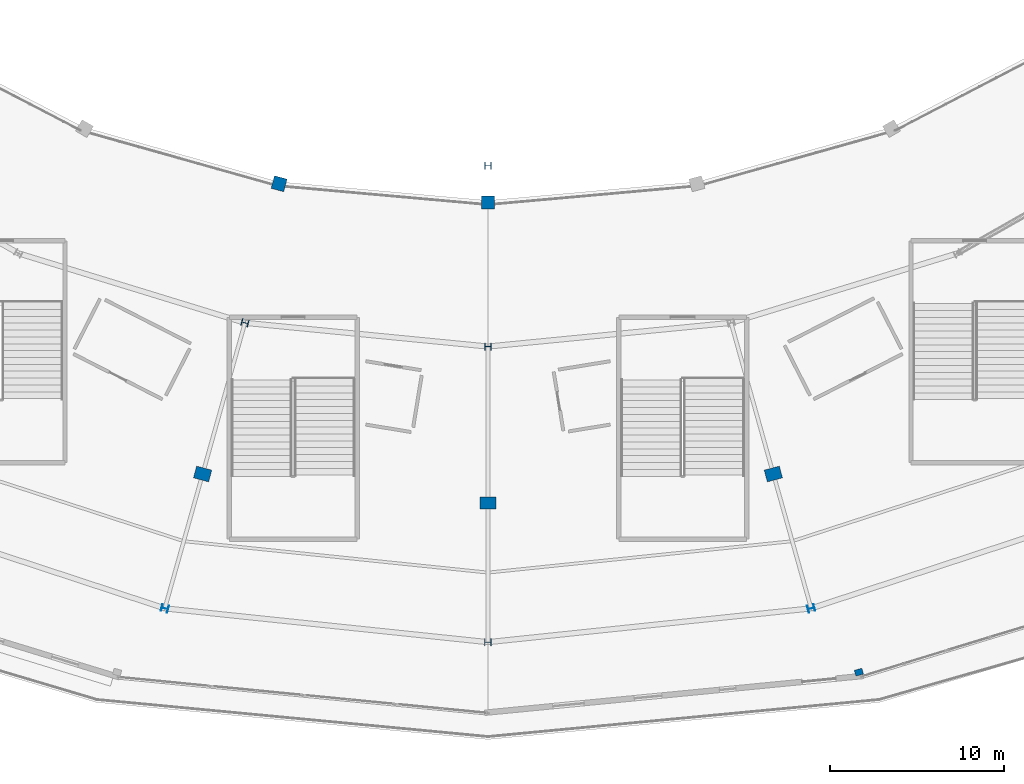
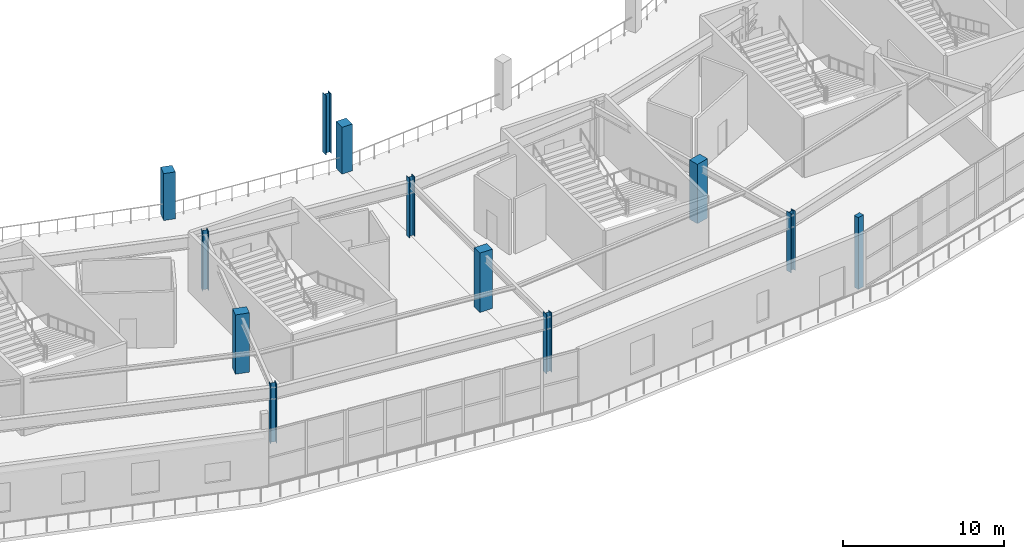
# One storey, part 4 of 123: 12 columns.
"""IFC4 building model written with IfcOpenShell, lengths in metres."""

from ifc_helpers import new_model, si_unit, direction, frame, origin, origin_2d, place, context, subcontext, project, spatial, rectangle, i_section, extrude, material, material_profile, profile_set, type_object, element, save


model = new_model("IFC4")

# Units and contexts
model_context = context("Model", 3, precision=1e-05, world=origin(), true_north=direction((0.0, 1.0)))
body_context = subcontext(model_context, "Body", "Model", "MODEL_VIEW")
ifc_project = project(units=[si_unit("LENGTHUNIT", "METRE"), si_unit("AREAUNIT", "SQUARE_METRE"), si_unit("VOLUMEUNIT", "CUBIC_METRE"), si_unit("PLANEANGLEUNIT", "RADIAN"), si_unit("MASSUNIT", "GRAM", prefix="KILO")], contexts=[model_context])

# Site, building, storey
site_placement = place(None, origin())
site = spatial("IfcSite", under=ifc_project, at=site_placement, CompositionType="ELEMENT")
building_placement = place(site_placement, origin())
building = spatial("IfcBuilding", under=site, at=building_placement, Name="Kalgoora Escarpment Arena", CompositionType="ELEMENT")
storey_placement = place(building_placement, frame((0.0, 0.0, 9.89990234375)))
storey = spatial("IfcBuildingStorey", under=building, at=storey_placement, Name="L02", CompositionType="ELEMENT", Elevation=9.89990234375)

# Columns
ifc_material_1 = material(Name="Structural steel Grade 350 (350 MPa)", Category="steel")
ifc_material_profile_1 = material_profile(ifc_material_1, i_section(OverallWidth=0.39990234375, OverallDepth=0.39990234375, WebThickness=0.01611328125, FlangeThickness=0.028076171875, at=origin_2d()))
ifc_profile_set_1 = profile_set([ifc_material_profile_1], Name="Structural steel Grade 350 (350 MPa)")
column_type_1 = type_object("IfcColumnType", Name="COL-COL-400WC212", PredefinedType="COLUMN", material=ifc_profile_set_1)
for number, where, z_axis, x_axis, name in (
    (1, (73.81689453125, 8.942138671875, 0.0), (0.0, 0.0, 1.0), (-0.258819045103, -0.965925826289, 0.0), "L02 structural column COL-RCONC2-R18"),
    (2, (92.39990234375, 7.0, 0.0), (0.0, 0.0, 1.0), (0.0, -1.0, 0.0), "L02 structural column COL-RCONC2-R19"),
    (3, (110.983154296875, 8.942138671875, 0.0), (0.0, 0.0, 1.0), (0.258819045103, -0.965925826289, 0.0), "L02 structural column COL-RCONC2-R20"),
):
    element("IfcColumn", number, at=place(storey_placement, frame(where, z_axis=z_axis, x_axis=x_axis)), inside=storey, type_object=column_type_1, Name=name, PredefinedType="COLUMN", context=body_context, shape_type="SweptSolid", body=[
        extrude(i_section(OverallWidth=0.39990234375, OverallDepth=0.39990234375, WebThickness=0.01611328125, FlangeThickness=0.028076171875, at=origin_2d()), origin(), (0.0, 0.0, 1.0), 4.5),
    ])
ifc_material_2 = material(Name="Structural steel Grade 350 (350 MPa)", Category="steel")
ifc_material_profile_2 = material_profile(ifc_material_2, i_section(OverallWidth=0.39990234375, OverallDepth=0.39990234375, WebThickness=0.01806640625, FlangeThickness=0.031982421875, at=origin_2d()))
ifc_profile_set_2 = profile_set([ifc_material_profile_2], Name="Structural steel Grade 350 (350 MPa)")
column_type_2 = type_object("IfcColumnType", Name="COL-COL-400WC270", PredefinedType="COLUMN", material=ifc_profile_set_2)
for number, where, z_axis, x_axis, name in (
    (4, (78.423828125, 25.363037109375, 0.0), (0.0, 0.0, 1.0), (-0.258819045103, -0.965925826289, 0.0), "L02 structural column COL-RMAIN-R18"),
    (5, (92.39990234375, 24.0, 0.0), (0.0, 0.0, 1.0), (0.0, -1.0, 0.0), "L02 structural column COL-RMAIN-R19"),
    (6, (92.39990234375, 34.39990234375, 0.0), (0.0, 0.0, 1.0), (0.0, -1.0, 0.0), "L02 structural column COL-TSPINE-S07"),
):
    element("IfcColumn", number, at=place(storey_placement, frame(where, z_axis=z_axis, x_axis=x_axis)), inside=storey, type_object=column_type_2, Name=name, PredefinedType="COLUMN", context=body_context, shape_type="SweptSolid", body=[
        extrude(i_section(OverallWidth=0.39990234375, OverallDepth=0.39990234375, WebThickness=0.01806640625, FlangeThickness=0.031982421875, at=origin_2d()), origin(), (0.0, 0.0, 1.0), 4.5),
    ])
ifc_material_3 = material(Name="Concrete N50 (fc' 50 MPa)", Category="concrete")
ifc_material_profile_3 = material_profile(ifc_material_3, rectangle(XDim=0.75, YDim=0.75, at=origin_2d()))
ifc_profile_set_3 = profile_set([ifc_material_profile_3], Name="Concrete N50 (fc' 50 MPa)")
column_type_3 = type_object("IfcColumnType", Name="COL-COL-RC750x750", PredefinedType="COLUMN", material=ifc_profile_set_3)
column_1_placement = place(storey_placement, frame((80.38818359375, 33.36083984375, 0.0), z_axis=(0.0, 0.0, 1.0), x_axis=(-0.258819045103, -0.965925826289, 0.0)))
element("IfcColumn", 7, at=column_1_placement, inside=storey, type_object=column_type_3, Name="L02 structural column COL-RMID-R18", PredefinedType="COLUMN", context=body_context, shape_type="SweptSolid", body=[
    extrude(rectangle(XDim=0.75, YDim=0.75, at=origin_2d()), origin(), (0.0, 0.0, 1.0), 3.553466796875),
])
column_2_placement = place(storey_placement, frame((92.39990234375, 32.280029296875, 0.0), z_axis=(0.0, 0.0, 1.0), x_axis=(0.0, -1.0, 0.0)))
element("IfcColumn", 8, at=column_2_placement, inside=storey, type_object=column_type_3, Name="L02 structural column COL-RMID-R19", PredefinedType="COLUMN", context=body_context, shape_type="SweptSolid", body=[
    extrude(rectangle(XDim=0.75, YDim=0.75, at=origin_2d()), origin(), (0.0, 0.0, 1.0), 3.55419921875),
])
ifc_material_4 = material(Name="Concrete N50 (fc' 50 MPa)", Category="concrete")
ifc_material_profile_4 = material_profile(ifc_material_4, rectangle(XDim=0.699951171875, YDim=0.89990234375, at=origin_2d()))
ifc_profile_set_4 = profile_set([ifc_material_profile_4], Name="Concrete N50 (fc' 50 MPa)")
column_type_4 = type_object("IfcColumnType", Name="COL-COL-RC900x700", PredefinedType="COLUMN", material=ifc_profile_set_4)
for number, where, z_axis, x_axis, name in (
    (9, (75.990966796875, 16.669677734375, 0.0), (0.0, 0.0, 1.0), (-0.258819045103, -0.965925826289, 0.0), "L02 structural column COL-RCONC1-R18"),
    (10, (92.39990234375, 15.0, 0.0), (0.0, 0.0, 1.0), (0.0, -1.0, 0.0), "L02 structural column COL-RCONC1-R19"),
    (11, (108.80908203125, 16.669677734375, 0.0), (0.0, 0.0, 1.0), (0.258819045103, -0.965925826289, 0.0), "L02 structural column COL-RCONC1-R20"),
):
    element("IfcColumn", number, at=place(storey_placement, frame(where, z_axis=z_axis, x_axis=x_axis)), inside=storey, type_object=column_type_4, Name=name, PredefinedType="COLUMN", context=body_context, shape_type="SweptSolid", body=[
        extrude(rectangle(XDim=0.699951171875, YDim=0.89990234375, at=origin_2d()), origin(), (0.0, 0.0, 1.0), 4.5),
    ])
ifc_material_5 = material(Name="Precast concrete N50 (fc' 50 MPa)", Category="concrete")
ifc_material_profile_5 = material_profile(ifc_material_5, rectangle(XDim=0.35009765625, YDim=0.449951171875, at=origin_2d()))
ifc_profile_set_5 = profile_set([ifc_material_profile_5], Name="Precast concrete N50 (fc' 50 MPa)")
column_type_5 = type_object("IfcColumnType", Name="COL-PIL-PC-PILASTER-450x350", PredefinedType="PILASTER", material=ifc_profile_set_5)
column_3_placement = place(storey_placement, frame((113.72705078125, 5.27197265625, 0.0), z_axis=(0.0, 0.0, 1.0), x_axis=(0.258819045103, -0.965925826289, 0.0)))
element("IfcColumn", 12, at=column_3_placement, inside=storey, type_object=column_type_5, Name="L02 fluted pilaster PIL-065", PredefinedType="PILASTER", context=body_context, shape_type="SweptSolid", body=[
    extrude(rectangle(XDim=0.35009765625, YDim=0.449951171875, at=origin_2d()), origin(), (0.0, 0.0, 1.0), 5.4501953125),
])

save(model, "model.ifc")
